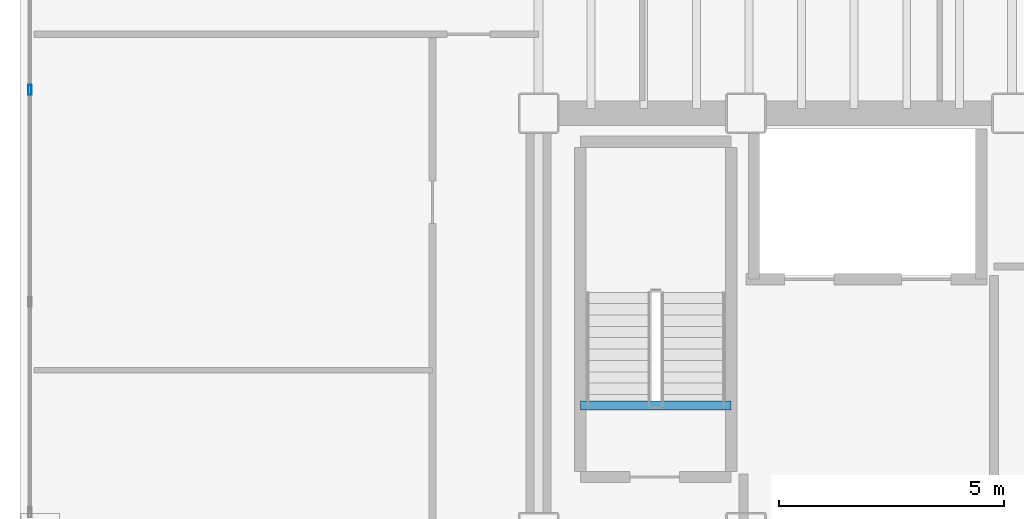
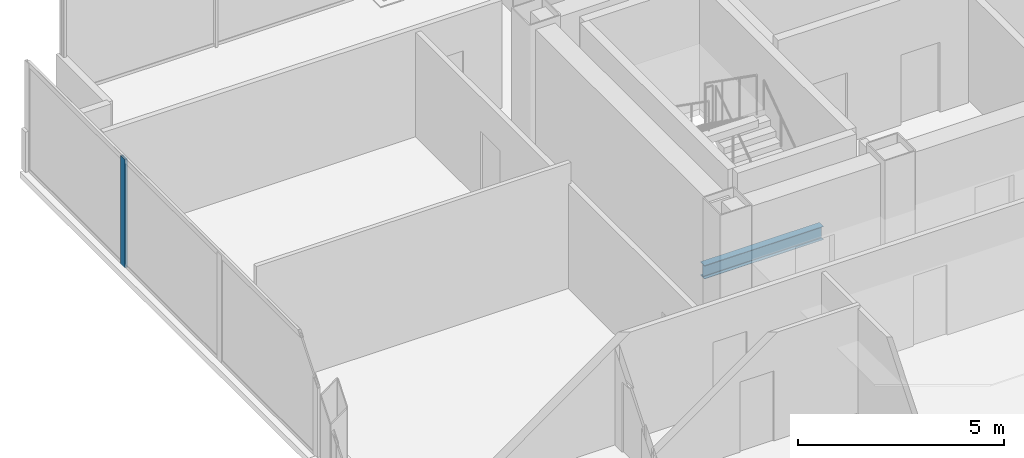
# One storey, part 7 of 19: 1 beam, 1 member, 1 element without a shape of its own.
"""IFC4 building model written with IfcOpenShell, lengths in metres."""

from ifc_helpers import new_model, si_unit, direction, frame, origin, origin_2d, place, context, subcontext, project, spatial, hollow_rectangle, i_section, extrude, material, material_profile, profile_set, type_object, element, aggregate, save


model = new_model("IFC4")

# Units and contexts
model_context = context("Model", 3, precision=1e-05, world=origin(), true_north=direction((0.0, 1.0)))
body_context = subcontext(model_context, "Body", "Model", "MODEL_VIEW")
ifc_project = project(units=[si_unit("LENGTHUNIT", "METRE"), si_unit("AREAUNIT", "SQUARE_METRE"), si_unit("VOLUMEUNIT", "CUBIC_METRE"), si_unit("PLANEANGLEUNIT", "RADIAN"), si_unit("MASSUNIT", "GRAM", prefix="KILO")], contexts=[model_context])

# Site, building, storey
site_placement = place(None, origin())
site = spatial("IfcSite", under=ifc_project, at=site_placement, CompositionType="ELEMENT")
building_placement = place(site_placement, origin())
building = spatial("IfcBuilding", under=site, at=building_placement, Name="Noeulbin Bourse Tower", CompositionType="ELEMENT")
storey_placement = place(building_placement, frame((0.0, 0.0, 153.89990234375)))
storey = spatial("IfcBuildingStorey", under=building, at=storey_placement, Name="L38", CompositionType="ELEMENT", Elevation=153.89990234375)

# Beam
ifc_material_1 = material(Name="Steel S355", Category="steel")
ifc_material_profile_1 = material_profile(ifc_material_1, i_section(OverallWidth=0.199951171875, OverallDepth=0.39990234375, WebThickness=0.008056640625, FlangeThickness=0.012939453125, FilletRadius=0.01611328125, at=origin_2d()), Name="H-400x200x8x13", Category="LoadBearing")
ifc_profile_set_1 = profile_set([ifc_material_profile_1], Name="Steel S355")
beam_type = type_object("IfcBeamType", Name="BM-SEC-400", PredefinedType="BEAM", material=ifc_profile_set_1)
beam_placement = place(storey_placement, frame((14.429931640625, 31.820068359375, -0.199951171875), z_axis=(1.0, 0.0, 0.0), x_axis=(0.0, 1.0, 0.0)))
element("IfcBeam", 1, at=beam_placement, inside=storey, type_object=beam_type, Name="Stair Threshold Trimmer Beam ST1-L38", PredefinedType="BEAM", context=body_context, shape_type="SweptSolid", body=[
    extrude(i_section(OverallWidth=0.199951171875, OverallDepth=0.39990234375, WebThickness=0.008056640625, FlangeThickness=0.012939453125, FilletRadius=0.01611328125, at=origin_2d()), origin(), (0.0, 0.0, 1.0), 3.340087890625),
])

# Curtain wall, member
ifc_material_2 = material(Name="Dark Tinted Triple Glazing", Category="glass")
curtain_wall_type = type_object("IfcCurtainWallType", Name="CW-SYS-3", PredefinedType="NOTDEFINED", material=ifc_material_2)
curtain_wall_placement = place(storey_placement, origin())
curtain_wall = element("IfcCurtainWall", 2, at=curtain_wall_placement, inside=storey, type_object=curtain_wall_type, Name="Unitised Curtain Wall CW-L38-W-S2", PredefinedType="NOTDEFINED")
ifc_material_3 = material(Name="Anodised Aluminium 6063-T6", Category="aluminium")
ifc_material_profile_2 = material_profile(ifc_material_3, hollow_rectangle(XDim=0.074951171875, YDim=0.219970703125, WallThickness=0.0048828125, InnerFilletRadius=0.00244140625, OuterFilletRadius=0.0048828125, at=origin_2d()), Name="ALU-MULL-75x220x5", Category="LoadBearing")
ifc_profile_set_2 = profile_set([ifc_material_profile_2], Name="Anodised Aluminium 6063-T6")
member_type = type_object("IfcMemberType", Name="CW-SYS-3-MUL", PredefinedType="MULLION", material=ifc_profile_set_2)
member_placement = place(storey_placement, frame((2.219970703125, 38.816650390625, -0.02001953125), z_axis=(0.0, 0.0, 1.0), x_axis=(1.0, 0.0, 0.0)))
member = element("IfcMember", 3, at=member_placement, type_object=member_type, Name="Curtain Wall Mullion CW-L38-W-S2-M02", PredefinedType="MULLION", context=body_context, shape_type="SweptSolid", body=[
    extrude(hollow_rectangle(XDim=0.074951171875, YDim=0.219970703125, WallThickness=0.0048828125, InnerFilletRadius=0.00244140625, OuterFilletRadius=0.0048828125, at=origin_2d()), origin(), (0.0, 0.0, 1.0), 3.22021484375),
])
aggregate(curtain_wall, [member])

save(model, "model.ifc")
